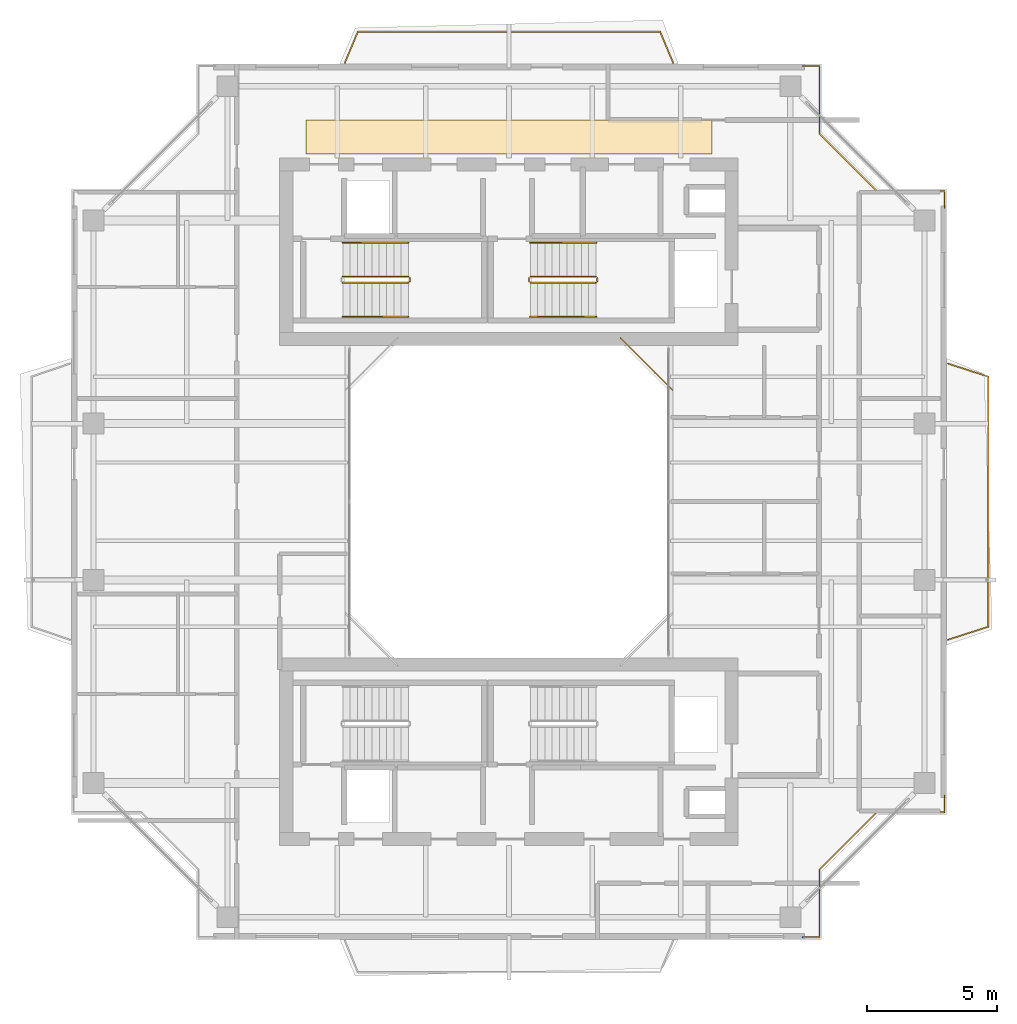
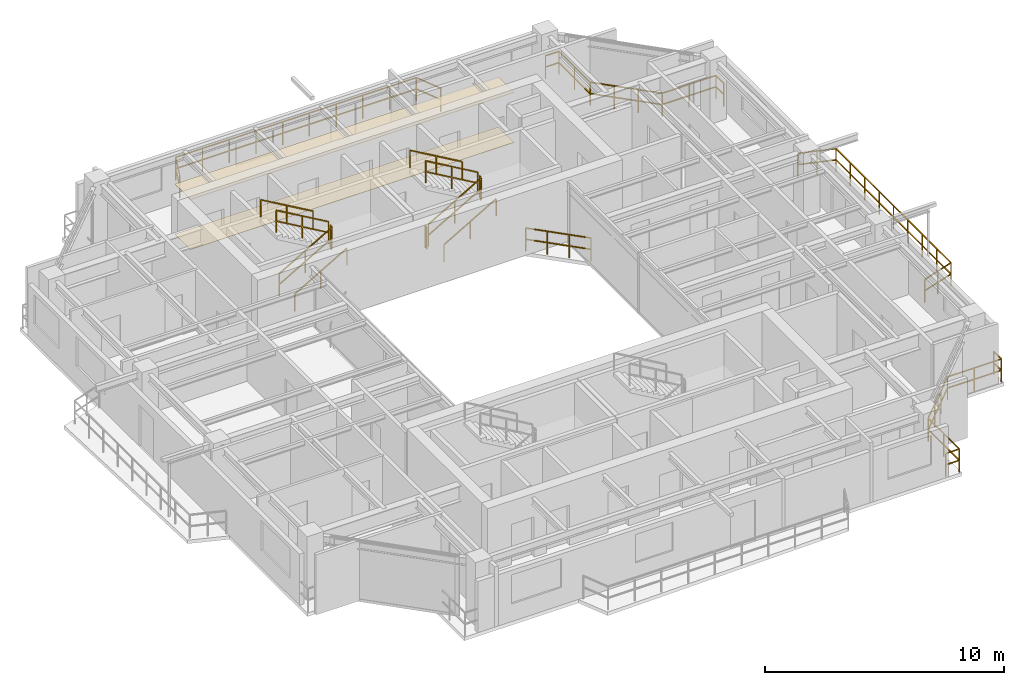
# One storey, part 15 of 15: 16 railings, 2 coverings.
"""IFC4 building model written with IfcOpenShell, lengths in metres."""

from ifc_helpers import new_model, si_unit, direction, frame, origin, origin_2d, place, context, subcontext, project, spatial, polyline, rectangle, outline, extrude, material, layer, layer_set, type_object, element, save


model = new_model("IFC4")

# Units and contexts
model_context = context("Model", 3, precision=1e-05, world=origin(), true_north=direction((0.0, 1.0)))
body_context = subcontext(model_context, "Body", "Model", "MODEL_VIEW")
ifc_project = project(units=[si_unit("LENGTHUNIT", "METRE"), si_unit("AREAUNIT", "SQUARE_METRE"), si_unit("VOLUMEUNIT", "CUBIC_METRE"), si_unit("PLANEANGLEUNIT", "RADIAN"), si_unit("MASSUNIT", "GRAM", prefix="KILO"), si_unit("THERMODYNAMICTEMPERATUREUNIT", "KELVIN"), si_unit("POWERUNIT", "WATT")], contexts=[model_context])

# Site, building, storey
site_placement = place(None, origin())
site = spatial("IfcSite", under=ifc_project, at=site_placement, CompositionType="ELEMENT")
building_placement = place(site_placement, origin())
building = spatial("IfcBuilding", under=site, at=building_placement, Name="Qiaomeng Ring Towers", CompositionType="ELEMENT")
storey_placement = place(building_placement, frame((0.0, 0.0, 206.75)))
storey = spatial("IfcBuildingStorey", under=building, at=storey_placement, Name="L60", CompositionType="ELEMENT", Elevation=206.75)

# Coverings
ifc_material_1 = material(Name="Mineral fibre acoustic ceiling tile", Category="gypsum")
ifc_layer_1 = layer(ifc_material_1, 0.02490234375, Name="Mineral fibre acoustic ceiling tile")
ifc_layer_set_1 = layer_set([ifc_layer_1], Name="Mineral fibre acoustic ceiling tile")
covering_type_1 = type_object("IfcCoveringType", Name="ARC-COV-CEIL1", PredefinedType="CEILING", material=ifc_layer_set_1)
covering_1_placement = place(storey_placement, frame((0.0, 0.0, 2.550048828125)))
element("IfcCovering", 1, at=covering_1_placement, inside=storey, type_object=covering_type_1, Name="L60 Corridor Acoustic Ceiling", PredefinedType="CEILING", context=body_context, shape_type="SweptSolid", body=[
    extrude(outline(polyline([(11.199951171875, 36.35009765625), (11.199951171875, 37.64990234375), (26.800048828125, 37.64990234375), (26.800048828125, 36.35009765625), (11.199951171875, 36.35009765625)])), origin(), (0.0, 0.0, 1.0), 0.02490234375),
])
ifc_material_2 = material(Name="Vitrified porcelain floor tile", Category="ceramic")
ifc_layer_2 = layer(ifc_material_2, 0.02001953125, Name="Vitrified porcelain floor tile")
ifc_layer_set_2 = layer_set([ifc_layer_2], Name="Vitrified porcelain floor tile")
covering_type_2 = type_object("IfcCoveringType", Name="ARC-COV-FLR1", PredefinedType="FLOORING", material=ifc_layer_set_2)
covering_2_placement = place(storey_placement, origin())
element("IfcCovering", 2, at=covering_2_placement, inside=storey, type_object=covering_type_2, Name="L60 Corridor Stone Flooring", PredefinedType="FLOORING", context=body_context, shape_type="SweptSolid", body=[
    extrude(outline(polyline([(11.199951171875, 36.35009765625), (11.199951171875, 37.64990234375), (26.800048828125, 37.64990234375), (26.800048828125, 36.35009765625), (11.199951171875, 36.35009765625)])), origin(), (0.0, 0.0, 1.0), 0.02001953125),
])

# Railings
ifc_material_3 = material(Name="Low-E pale-green laminated safety glass", Category="glass")
railing_type_1 = type_object("IfcRailingType", Name="ARC-RL-BAL1", PredefinedType="BALUSTRADE", material=ifc_material_3)
railing_1_placement = place(storey_placement, frame((25.280029296875, 27.280029296875, 0.0)))
element("IfcRailing", 3, at=railing_1_placement, inside=storey, type_object=railing_type_1, Name="L60 Balustrade ARC-BAL-WELL1-L60-2", PredefinedType="BALUSTRADE", context=body_context, shape_type="SweptSolid", body=[
    extrude(rectangle(XDim=0.048095703125, YDim=0.048095703125, at=origin_2d()), frame((0.0, 0.0, 1.17578125), z_axis=(-0.707106781187, 0.707106781187, 0.0), x_axis=(-0.707106781187, -0.707106781187, 0.0)), (0.0, 0.0, 1.0), 2.828369140625),
    extrude(rectangle(XDim=0.048095703125, YDim=0.048095703125, at=origin_2d()), frame((0.0, 0.0, 0.60009765625), z_axis=(-0.707106781187, 0.707106781187, 0.0), x_axis=(-0.707106781187, -0.707106781187, 0.0)), (0.0, 0.0, 1.0), 2.828369140625),
    extrude(rectangle(XDim=0.0419921875, YDim=0.0419921875, at=origin_2d()), origin(), (0.0, 0.0, 1.0), 1.15185546875),
    extrude(rectangle(XDim=0.0419921875, YDim=0.0419921875, at=origin_2d()), frame((-0.666748046875, 0.666748046875, 0.0)), (0.0, 0.0, 1.0), 1.15185546875),
    extrude(rectangle(XDim=0.0419921875, YDim=0.0419921875, at=origin_2d()), frame((-1.333251953125, 1.333251953125, 0.0)), (0.0, 0.0, 1.0), 1.15185546875),
    extrude(rectangle(XDim=0.0419921875, YDim=0.0419921875, at=origin_2d()), frame((-2.0, 2.0, 0.0)), (0.0, 0.0, 1.0), 1.15185546875),
])
railing_2_placement = place(storey_placement, frame((30.27001953125, 6.280029296875, 0.0)))
element("IfcRailing", 4, at=railing_2_placement, inside=storey, type_object=railing_type_1, Name="L60 Balustrade ARC-BAL-NOTCH1-L60-SE", PredefinedType="BALUSTRADE", context=body_context, shape_type="SweptSolid", body=[
    extrude(rectangle(XDim=0.048095703125, YDim=0.048095703125, at=origin_2d()), frame((0.0, 0.0, 1.17578125), z_axis=(1.0, 0.0, 0.0), x_axis=(0.0, 1.0, 0.0)), (0.0, 0.0, 1.0), 0.64990234375),
    extrude(rectangle(XDim=0.048095703125, YDim=0.048095703125, at=origin_2d()), frame((0.0, 0.0, 0.60009765625), z_axis=(1.0, 0.0, 0.0), x_axis=(0.0, 1.0, 0.0)), (0.0, 0.0, 1.0), 0.64990234375),
    extrude(rectangle(XDim=0.048095703125, YDim=0.048095703125, at=origin_2d()), frame((0.64990234375, 0.0, 1.17578125), z_axis=(0.0, 1.0, 0.0), x_axis=(-1.0, 0.0, 0.0)), (0.0, 0.0, 1.0), 2.599853515625),
    extrude(rectangle(XDim=0.048095703125, YDim=0.048095703125, at=origin_2d()), frame((0.64990234375, 0.0, 0.60009765625), z_axis=(0.0, 1.0, 0.0), x_axis=(-1.0, 0.0, 0.0)), (0.0, 0.0, 1.0), 2.599853515625),
    extrude(rectangle(XDim=0.048095703125, YDim=0.048095703125, at=origin_2d()), frame((0.64990234375, 2.599853515625, 1.17578125), z_axis=(0.707106781187, 0.707106781187, 0.0), x_axis=(-0.707106781187, 0.707106781187, 0.0)), (0.0, 0.0, 1.0), 3.111572265625),
    extrude(rectangle(XDim=0.048095703125, YDim=0.048095703125, at=origin_2d()), frame((0.64990234375, 2.599853515625, 0.60009765625), z_axis=(0.707106781187, 0.707106781187, 0.0), x_axis=(-0.707106781187, 0.707106781187, 0.0)), (0.0, 0.0, 1.0), 3.111572265625),
    extrude(rectangle(XDim=0.048095703125, YDim=0.048095703125, at=origin_2d()), frame((2.85009765625, 4.800048828125, 1.17578125), z_axis=(1.0, 0.0, 0.0), x_axis=(0.0, 1.0, 0.0)), (0.0, 0.0, 1.0), 2.599853515625),
    extrude(rectangle(XDim=0.048095703125, YDim=0.048095703125, at=origin_2d()), frame((2.85009765625, 4.800048828125, 0.60009765625), z_axis=(1.0, 0.0, 0.0), x_axis=(0.0, 1.0, 0.0)), (0.0, 0.0, 1.0), 2.599853515625),
    extrude(rectangle(XDim=0.048095703125, YDim=0.048095703125, at=origin_2d()), frame((5.449951171875, 4.800048828125, 1.17578125), z_axis=(0.0, 1.0, 0.0), x_axis=(-1.0, 0.0, 0.0)), (0.0, 0.0, 1.0), 0.64990234375),
    extrude(rectangle(XDim=0.048095703125, YDim=0.048095703125, at=origin_2d()), frame((5.449951171875, 4.800048828125, 0.60009765625), z_axis=(0.0, 1.0, 0.0), x_axis=(-1.0, 0.0, 0.0)), (0.0, 0.0, 1.0), 0.64990234375),
    extrude(rectangle(XDim=0.0419921875, YDim=0.0419921875, at=origin_2d()), origin(), (0.0, 0.0, 1.0), 1.15185546875),
    extrude(rectangle(XDim=0.0419921875, YDim=0.0419921875, at=origin_2d()), frame((0.64990234375, 0.0, 0.0)), (0.0, 0.0, 1.0), 1.15185546875),
    extrude(rectangle(XDim=0.0419921875, YDim=0.0419921875, at=origin_2d()), frame((0.64990234375, 1.2998046875, 0.0)), (0.0, 0.0, 1.0), 1.15185546875),
    extrude(rectangle(XDim=0.0419921875, YDim=0.0419921875, at=origin_2d()), frame((0.64990234375, 2.599853515625, 0.0)), (0.0, 0.0, 1.0), 1.15185546875),
    extrude(rectangle(XDim=0.0419921875, YDim=0.0419921875, at=origin_2d()), frame((1.38330078125, 3.333251953125, 0.0)), (0.0, 0.0, 1.0), 1.15185546875),
    extrude(rectangle(XDim=0.0419921875, YDim=0.0419921875, at=origin_2d()), frame((2.11669921875, 4.066650390625, 0.0)), (0.0, 0.0, 1.0), 1.15185546875),
    extrude(rectangle(XDim=0.0419921875, YDim=0.0419921875, at=origin_2d()), frame((2.85009765625, 4.800048828125, 0.0)), (0.0, 0.0, 1.0), 1.15185546875),
    extrude(rectangle(XDim=0.0419921875, YDim=0.0419921875, at=origin_2d()), frame((4.14990234375, 4.800048828125, 0.0)), (0.0, 0.0, 1.0), 1.15185546875),
    extrude(rectangle(XDim=0.0419921875, YDim=0.0419921875, at=origin_2d()), frame((5.449951171875, 4.800048828125, 0.0)), (0.0, 0.0, 1.0), 1.15185546875),
    extrude(rectangle(XDim=0.0419921875, YDim=0.0419921875, at=origin_2d()), frame((5.449951171875, 5.449951171875, 0.0)), (0.0, 0.0, 1.0), 1.15185546875),
])
railing_3_placement = place(storey_placement, frame((35.719970703125, 34.27001953125, 0.0)))
element("IfcRailing", 5, at=railing_3_placement, inside=storey, type_object=railing_type_1, Name="L60 Balustrade ARC-BAL-NOTCH1-L60-NE", PredefinedType="BALUSTRADE", context=body_context, shape_type="SweptSolid", body=[
    extrude(rectangle(XDim=0.048095703125, YDim=0.048095703125, at=origin_2d()), frame((0.0, 0.0, 1.17578125), z_axis=(0.0, 1.0, 0.0), x_axis=(-1.0, 0.0, 0.0)), (0.0, 0.0, 1.0), 0.64990234375),
    extrude(rectangle(XDim=0.048095703125, YDim=0.048095703125, at=origin_2d()), frame((0.0, 0.0, 0.60009765625), z_axis=(0.0, 1.0, 0.0), x_axis=(-1.0, 0.0, 0.0)), (0.0, 0.0, 1.0), 0.64990234375),
    extrude(rectangle(XDim=0.048095703125, YDim=0.048095703125, at=origin_2d()), frame((0.0, 0.64990234375, 1.17578125), z_axis=(-1.0, 0.0, 0.0), x_axis=(0.0, -1.0, 0.0)), (0.0, 0.0, 1.0), 2.599853515625),
    extrude(rectangle(XDim=0.048095703125, YDim=0.048095703125, at=origin_2d()), frame((0.0, 0.64990234375, 0.60009765625), z_axis=(-1.0, 0.0, 0.0), x_axis=(0.0, -1.0, 0.0)), (0.0, 0.0, 1.0), 2.599853515625),
    extrude(rectangle(XDim=0.048095703125, YDim=0.048095703125, at=origin_2d()), frame((-2.599853515625, 0.64990234375, 1.17578125), z_axis=(-0.707106781187, 0.707106781187, 0.0), x_axis=(-0.707106781187, -0.707106781187, 0.0)), (0.0, 0.0, 1.0), 3.111572265625),
    extrude(rectangle(XDim=0.048095703125, YDim=0.048095703125, at=origin_2d()), frame((-2.599853515625, 0.64990234375, 0.60009765625), z_axis=(-0.707106781187, 0.707106781187, 0.0), x_axis=(-0.707106781187, -0.707106781187, 0.0)), (0.0, 0.0, 1.0), 3.111572265625),
    extrude(rectangle(XDim=0.048095703125, YDim=0.048095703125, at=origin_2d()), frame((-4.800048828125, 2.85009765625, 1.17578125), z_axis=(0.0, 1.0, 0.0), x_axis=(-1.0, 0.0, 0.0)), (0.0, 0.0, 1.0), 2.599853515625),
    extrude(rectangle(XDim=0.048095703125, YDim=0.048095703125, at=origin_2d()), frame((-4.800048828125, 2.85009765625, 0.60009765625), z_axis=(0.0, 1.0, 0.0), x_axis=(-1.0, 0.0, 0.0)), (0.0, 0.0, 1.0), 2.599853515625),
    extrude(rectangle(XDim=0.048095703125, YDim=0.048095703125, at=origin_2d()), frame((-4.800048828125, 5.449951171875, 1.17578125), z_axis=(-1.0, 0.0, 0.0), x_axis=(0.0, -1.0, 0.0)), (0.0, 0.0, 1.0), 0.64990234375),
    extrude(rectangle(XDim=0.048095703125, YDim=0.048095703125, at=origin_2d()), frame((-4.800048828125, 5.449951171875, 0.60009765625), z_axis=(-1.0, 0.0, 0.0), x_axis=(0.0, -1.0, 0.0)), (0.0, 0.0, 1.0), 0.64990234375),
    extrude(rectangle(XDim=0.0419921875, YDim=0.0419921875, at=origin_2d()), origin(), (0.0, 0.0, 1.0), 1.15185546875),
    extrude(rectangle(XDim=0.0419921875, YDim=0.0419921875, at=origin_2d()), frame((0.0, 0.64990234375, 0.0)), (0.0, 0.0, 1.0), 1.15185546875),
    extrude(rectangle(XDim=0.0419921875, YDim=0.0419921875, at=origin_2d()), frame((-1.2998046875, 0.64990234375, 0.0)), (0.0, 0.0, 1.0), 1.15185546875),
    extrude(rectangle(XDim=0.0419921875, YDim=0.0419921875, at=origin_2d()), frame((-2.599853515625, 0.64990234375, 0.0)), (0.0, 0.0, 1.0), 1.15185546875),
    extrude(rectangle(XDim=0.0419921875, YDim=0.0419921875, at=origin_2d()), frame((-3.333251953125, 1.38330078125, 0.0)), (0.0, 0.0, 1.0), 1.15185546875),
    extrude(rectangle(XDim=0.0419921875, YDim=0.0419921875, at=origin_2d()), frame((-4.066650390625, 2.11669921875, 0.0)), (0.0, 0.0, 1.0), 1.15185546875),
    extrude(rectangle(XDim=0.0419921875, YDim=0.0419921875, at=origin_2d()), frame((-4.800048828125, 2.85009765625, 0.0)), (0.0, 0.0, 1.0), 1.15185546875),
    extrude(rectangle(XDim=0.0419921875, YDim=0.0419921875, at=origin_2d()), frame((-4.800048828125, 4.14990234375, 0.0)), (0.0, 0.0, 1.0), 1.15185546875),
    extrude(rectangle(XDim=0.0419921875, YDim=0.0419921875, at=origin_2d()), frame((-4.800048828125, 5.449951171875, 0.0)), (0.0, 0.0, 1.0), 1.15185546875),
    extrude(rectangle(XDim=0.0419921875, YDim=0.0419921875, at=origin_2d()), frame((-5.449951171875, 5.449951171875, 0.0)), (0.0, 0.0, 1.0), 1.15185546875),
])
railing_4_placement = place(storey_placement, frame((35.85009765625, 17.699951171875, 0.0)))
element("IfcRailing", 6, at=railing_4_placement, inside=storey, type_object=railing_type_1, Name="L60 Balustrade ARC-BAL-L60-T1-E", PredefinedType="BALUSTRADE", context=body_context, shape_type="SweptSolid", body=[
    extrude(rectangle(XDim=0.048095703125, YDim=0.048095703125, at=origin_2d()), frame((0.0, 0.0, 1.17578125), z_axis=(0.951697313001, 0.307037822468, 0.0), x_axis=(-0.307037822468, 0.951697313001, 0.0)), (0.0, 0.0, 1.0), 1.62841796875),
    extrude(rectangle(XDim=0.048095703125, YDim=0.048095703125, at=origin_2d()), frame((0.0, 0.0, 0.60009765625), z_axis=(0.951697313001, 0.307037822468, 0.0), x_axis=(-0.307037822468, 0.951697313001, 0.0)), (0.0, 0.0, 1.0), 1.62841796875),
    extrude(rectangle(XDim=0.048095703125, YDim=0.048095703125, at=origin_2d()), frame((1.5498046875, 0.5, 1.17578125), z_axis=(0.0, 1.0, 0.0), x_axis=(-1.0, 0.0, 0.0)), (0.0, 0.0, 1.0), 9.60009765625),
    extrude(rectangle(XDim=0.048095703125, YDim=0.048095703125, at=origin_2d()), frame((1.5498046875, 0.5, 0.60009765625), z_axis=(0.0, 1.0, 0.0), x_axis=(-1.0, 0.0, 0.0)), (0.0, 0.0, 1.0), 9.60009765625),
    extrude(rectangle(XDim=0.048095703125, YDim=0.048095703125, at=origin_2d()), frame((1.5498046875, 10.10009765625, 1.17578125), z_axis=(-0.951697313001, 0.307037822468, 0.0), x_axis=(-0.307037822468, -0.951697313001, 0.0)), (0.0, 0.0, 1.0), 1.62841796875),
    extrude(rectangle(XDim=0.048095703125, YDim=0.048095703125, at=origin_2d()), frame((1.5498046875, 10.10009765625, 0.60009765625), z_axis=(-0.951697313001, 0.307037822468, 0.0), x_axis=(-0.307037822468, -0.951697313001, 0.0)), (0.0, 0.0, 1.0), 1.62841796875),
    extrude(rectangle(XDim=0.0419921875, YDim=0.0419921875, at=origin_2d()), origin(), (0.0, 0.0, 1.0), 1.15185546875),
    extrude(rectangle(XDim=0.0419921875, YDim=0.0419921875, at=origin_2d()), frame((0.77490234375, 0.25, 0.0)), (0.0, 0.0, 1.0), 1.15185546875),
    extrude(rectangle(XDim=0.0419921875, YDim=0.0419921875, at=origin_2d()), frame((1.5498046875, 0.5, 0.0)), (0.0, 0.0, 1.0), 1.15185546875),
    extrude(rectangle(XDim=0.0419921875, YDim=0.0419921875, at=origin_2d()), frame((1.5498046875, 1.699951171875, 0.0)), (0.0, 0.0, 1.0), 1.15185546875),
    extrude(rectangle(XDim=0.0419921875, YDim=0.0419921875, at=origin_2d()), frame((1.5498046875, 2.89990234375, 0.0)), (0.0, 0.0, 1.0), 1.15185546875),
    extrude(rectangle(XDim=0.0419921875, YDim=0.0419921875, at=origin_2d()), frame((1.5498046875, 4.10009765625, 0.0)), (0.0, 0.0, 1.0), 1.15185546875),
    extrude(rectangle(XDim=0.0419921875, YDim=0.0419921875, at=origin_2d()), frame((1.5498046875, 5.300048828125, 0.0)), (0.0, 0.0, 1.0), 1.15185546875),
    extrude(rectangle(XDim=0.0419921875, YDim=0.0419921875, at=origin_2d()), frame((1.5498046875, 6.5, 0.0)), (0.0, 0.0, 1.0), 1.15185546875),
    extrude(rectangle(XDim=0.0419921875, YDim=0.0419921875, at=origin_2d()), frame((1.5498046875, 7.7001953125, 0.0)), (0.0, 0.0, 1.0), 1.15185546875),
    extrude(rectangle(XDim=0.0419921875, YDim=0.0419921875, at=origin_2d()), frame((1.5498046875, 8.900146484375, 0.0)), (0.0, 0.0, 1.0), 1.15185546875),
    extrude(rectangle(XDim=0.0419921875, YDim=0.0419921875, at=origin_2d()), frame((1.5498046875, 10.10009765625, 0.0)), (0.0, 0.0, 1.0), 1.15185546875),
    extrude(rectangle(XDim=0.0419921875, YDim=0.0419921875, at=origin_2d()), frame((0.77490234375, 10.35009765625, 0.0)), (0.0, 0.0, 1.0), 1.15185546875),
    extrude(rectangle(XDim=0.0419921875, YDim=0.0419921875, at=origin_2d()), frame((0.0, 10.60009765625, 0.0)), (0.0, 0.0, 1.0), 1.15185546875),
])
railing_5_placement = place(storey_placement, frame((12.699951171875, 39.85009765625, 0.0)))
element("IfcRailing", 7, at=railing_5_placement, inside=storey, type_object=railing_type_1, Name="L60 Balustrade ARC-BAL-L60-T1-N", PredefinedType="BALUSTRADE", context=body_context, shape_type="SweptSolid", body=[
    extrude(rectangle(XDim=0.048095703125, YDim=0.048095703125, at=origin_2d()), frame((0.0, 0.0, 1.17578125), z_axis=(0.387380404006, 0.921919965394, 0.0), x_axis=(-0.921919965394, 0.387380404006, 0.0)), (0.0, 0.0, 1.0), 1.290771484375),
    extrude(rectangle(XDim=0.048095703125, YDim=0.048095703125, at=origin_2d()), frame((0.0, 0.0, 0.60009765625), z_axis=(0.387380404006, 0.921919965394, 0.0), x_axis=(-0.921919965394, 0.387380404006, 0.0)), (0.0, 0.0, 1.0), 1.290771484375),
    extrude(rectangle(XDim=0.048095703125, YDim=0.048095703125, at=origin_2d()), frame((0.5, 1.18994140625, 1.17578125), z_axis=(1.0, 0.0, 0.0), x_axis=(0.0, 1.0, 0.0)), (0.0, 0.0, 1.0), 11.60009765625),
    extrude(rectangle(XDim=0.048095703125, YDim=0.048095703125, at=origin_2d()), frame((0.5, 1.18994140625, 0.60009765625), z_axis=(1.0, 0.0, 0.0), x_axis=(0.0, 1.0, 0.0)), (0.0, 0.0, 1.0), 11.60009765625),
    extrude(rectangle(XDim=0.048095703125, YDim=0.048095703125, at=origin_2d()), frame((12.10009765625, 1.18994140625, 1.17578125), z_axis=(0.387380404006, -0.921919965394, 0.0), x_axis=(0.921919965394, 0.387380404006, 0.0)), (0.0, 0.0, 1.0), 1.290771484375),
    extrude(rectangle(XDim=0.048095703125, YDim=0.048095703125, at=origin_2d()), frame((12.10009765625, 1.18994140625, 0.60009765625), z_axis=(0.387380404006, -0.921919965394, 0.0), x_axis=(0.921919965394, 0.387380404006, 0.0)), (0.0, 0.0, 1.0), 1.290771484375),
    extrude(rectangle(XDim=0.0419921875, YDim=0.0419921875, at=origin_2d()), origin(), (0.0, 0.0, 1.0), 1.15185546875),
    extrude(rectangle(XDim=0.0419921875, YDim=0.0419921875, at=origin_2d()), frame((0.5, 1.18994140625, 0.0)), (0.0, 0.0, 1.0), 1.15185546875),
    extrude(rectangle(XDim=0.0419921875, YDim=0.0419921875, at=origin_2d()), frame((1.788818359375, 1.18994140625, 0.0)), (0.0, 0.0, 1.0), 1.15185546875),
    extrude(rectangle(XDim=0.0419921875, YDim=0.0419921875, at=origin_2d()), frame((3.077880859375, 1.18994140625, 0.0)), (0.0, 0.0, 1.0), 1.15185546875),
    extrude(rectangle(XDim=0.0419921875, YDim=0.0419921875, at=origin_2d()), frame((4.36669921875, 1.18994140625, 0.0)), (0.0, 0.0, 1.0), 1.15185546875),
    extrude(rectangle(XDim=0.0419921875, YDim=0.0419921875, at=origin_2d()), frame((5.655517578125, 1.18994140625, 0.0)), (0.0, 0.0, 1.0), 1.15185546875),
    extrude(rectangle(XDim=0.0419921875, YDim=0.0419921875, at=origin_2d()), frame((6.944580078125, 1.18994140625, 0.0)), (0.0, 0.0, 1.0), 1.15185546875),
    extrude(rectangle(XDim=0.0419921875, YDim=0.0419921875, at=origin_2d()), frame((8.2333984375, 1.18994140625, 0.0)), (0.0, 0.0, 1.0), 1.15185546875),
    extrude(rectangle(XDim=0.0419921875, YDim=0.0419921875, at=origin_2d()), frame((9.522216796875, 1.18994140625, 0.0)), (0.0, 0.0, 1.0), 1.15185546875),
    extrude(rectangle(XDim=0.0419921875, YDim=0.0419921875, at=origin_2d()), frame((10.811279296875, 1.18994140625, 0.0)), (0.0, 0.0, 1.0), 1.15185546875),
    extrude(rectangle(XDim=0.0419921875, YDim=0.0419921875, at=origin_2d()), frame((12.10009765625, 1.18994140625, 0.0)), (0.0, 0.0, 1.0), 1.15185546875),
    extrude(rectangle(XDim=0.0419921875, YDim=0.0419921875, at=origin_2d()), frame((12.60009765625, 0.0, 0.0)), (0.0, 0.0, 1.0), 1.15185546875),
])
ifc_material_4 = material(Name="Galvanised steel", Category="steel")
railing_type_2 = type_object("IfcRailingType", Name="ARC-RL-GUARD", PredefinedType="GUARDRAIL", material=ifc_material_4)
railing_6_placement = place(storey_placement, frame((12.6201171875, 31.39990234375, 0.16259765625)))
element("IfcRailing", 8, at=railing_6_placement, inside=storey, type_object=railing_type_2, Name="L60 ST1 stair guard 1", PredefinedType="GUARDRAIL", context=body_context, shape_type="SweptSolid", body=[
    extrude(rectangle(XDim=0.048095703125, YDim=0.048095703125, at=origin_2d()), frame((0.0, 0.0, 1.1259765625), z_axis=(0.864892226395, 0.0, 0.501957604506), x_axis=(0.0, 1.0, 0.0)), (0.0, 0.0, 1.0), 2.913330078125),
    extrude(rectangle(XDim=0.048095703125, YDim=0.048095703125, at=origin_2d()), frame((0.0, 0.0, 0.574951171875), z_axis=(0.864892226395, 0.0, 0.501957604506), x_axis=(0.0, 1.0, 0.0)), (0.0, 0.0, 1.0), 2.913330078125),
    extrude(rectangle(XDim=0.0419921875, YDim=0.0419921875, at=origin_2d()), origin(), (0.0, 0.0, 1.0), 1.101806640625),
    extrude(rectangle(XDim=0.0419921875, YDim=0.0419921875, at=origin_2d()), frame((1.259765625, 0.0, 0.731201171875)), (0.0, 0.0, 1.0), 1.101806640625),
    extrude(rectangle(XDim=0.0419921875, YDim=0.0419921875, at=origin_2d()), frame((2.519775390625, 0.0, 1.46240234375)), (0.0, 0.0, 1.0), 1.101806640625),
])
railing_7_placement = place(storey_placement, frame((15.18994140625, 31.449951171875, 1.625)))
element("IfcRailing", 9, at=railing_7_placement, inside=storey, type_object=railing_type_2, Name="L60 ST1 stair guard 2", PredefinedType="GUARDRAIL", context=body_context, shape_type="SweptSolid", body=[
    extrude(rectangle(XDim=0.048095703125, YDim=0.048095703125, at=origin_2d()), frame((0.0, 0.0, 1.1259765625), z_axis=(0.0, 1.0, 0.0), x_axis=(-1.0, 0.0, 0.0)), (0.0, 0.0, 1.0), 0.14013671875),
    extrude(rectangle(XDim=0.048095703125, YDim=0.048095703125, at=origin_2d()), frame((0.0, 0.0, 0.574951171875), z_axis=(0.0, 1.0, 0.0), x_axis=(-1.0, 0.0, 0.0)), (0.0, 0.0, 1.0), 0.14013671875),
    extrude(rectangle(XDim=0.0419921875, YDim=0.0419921875, at=origin_2d()), origin(), (0.0, 0.0, 1.0), 1.101806640625),
    extrude(rectangle(XDim=0.0419921875, YDim=0.0419921875, at=origin_2d()), frame((0.0, 0.14013671875, 0.0)), (0.0, 0.0, 1.0), 1.101806640625),
])
railing_8_placement = place(storey_placement, frame((15.139892578125, 31.639892578125, 1.78759765625)))
element("IfcRailing", 10, at=railing_8_placement, inside=storey, type_object=railing_type_2, Name="L60 ST1 stair guard 3", PredefinedType="GUARDRAIL", context=body_context, shape_type="SweptSolid", body=[
    extrude(rectangle(XDim=0.048095703125, YDim=0.048095703125, at=origin_2d()), frame((0.0, 0.0, 1.1259765625), z_axis=(-0.864892226395, 0.0, 0.501957604506), x_axis=(0.0, -1.0, 0.0)), (0.0, 0.0, 1.0), 2.913330078125),
    extrude(rectangle(XDim=0.048095703125, YDim=0.048095703125, at=origin_2d()), frame((0.0, 0.0, 0.574951171875), z_axis=(-0.864892226395, 0.0, 0.501957604506), x_axis=(0.0, -1.0, 0.0)), (0.0, 0.0, 1.0), 2.913330078125),
    extrude(rectangle(XDim=0.0419921875, YDim=0.0419921875, at=origin_2d()), origin(), (0.0, 0.0, 1.0), 1.101806640625),
    extrude(rectangle(XDim=0.0419921875, YDim=0.0419921875, at=origin_2d()), frame((-1.259765625, 0.0, 0.731201171875)), (0.0, 0.0, 1.0), 1.101806640625),
    extrude(rectangle(XDim=0.0419921875, YDim=0.0419921875, at=origin_2d()), frame((-2.519775390625, 0.0, 1.46240234375)), (0.0, 0.0, 1.0), 1.101806640625),
])
railing_9_placement = place(storey_placement, frame((19.820068359375, 31.39990234375, 0.16259765625)))
element("IfcRailing", 11, at=railing_9_placement, inside=storey, type_object=railing_type_2, Name="L60 ST2 stair guard 1", PredefinedType="GUARDRAIL", context=body_context, shape_type="SweptSolid", body=[
    extrude(rectangle(XDim=0.048095703125, YDim=0.048095703125, at=origin_2d()), frame((0.0, 0.0, 1.1259765625), z_axis=(0.864913338283, 0.0, 0.50192122615), x_axis=(0.0, 1.0, 0.0)), (0.0, 0.0, 1.0), 2.91357421875),
    extrude(rectangle(XDim=0.048095703125, YDim=0.048095703125, at=origin_2d()), frame((0.0, 0.0, 0.574951171875), z_axis=(0.864913338283, 0.0, 0.50192122615), x_axis=(0.0, 1.0, 0.0)), (0.0, 0.0, 1.0), 2.91357421875),
    extrude(rectangle(XDim=0.0419921875, YDim=0.0419921875, at=origin_2d()), origin(), (0.0, 0.0, 1.0), 1.101806640625),
    extrude(rectangle(XDim=0.0419921875, YDim=0.0419921875, at=origin_2d()), frame((1.260009765625, 0.0, 0.731201171875)), (0.0, 0.0, 1.0), 1.101806640625),
    extrude(rectangle(XDim=0.0419921875, YDim=0.0419921875, at=origin_2d()), frame((2.52001953125, 0.0, 1.46240234375)), (0.0, 0.0, 1.0), 1.101806640625),
])
railing_10_placement = place(storey_placement, frame((22.389892578125, 31.449951171875, 1.625)))
element("IfcRailing", 12, at=railing_10_placement, inside=storey, type_object=railing_type_2, Name="L60 ST2 stair guard 2", PredefinedType="GUARDRAIL", context=body_context, shape_type="SweptSolid", body=[
    extrude(rectangle(XDim=0.048095703125, YDim=0.048095703125, at=origin_2d()), frame((0.0, 0.0, 1.1259765625), z_axis=(0.0, 1.0, 0.0), x_axis=(-1.0, 0.0, 0.0)), (0.0, 0.0, 1.0), 0.14013671875),
    extrude(rectangle(XDim=0.048095703125, YDim=0.048095703125, at=origin_2d()), frame((0.0, 0.0, 0.574951171875), z_axis=(0.0, 1.0, 0.0), x_axis=(-1.0, 0.0, 0.0)), (0.0, 0.0, 1.0), 0.14013671875),
    extrude(rectangle(XDim=0.0419921875, YDim=0.0419921875, at=origin_2d()), origin(), (0.0, 0.0, 1.0), 1.101806640625),
    extrude(rectangle(XDim=0.0419921875, YDim=0.0419921875, at=origin_2d()), frame((0.0, 0.14013671875, 0.0)), (0.0, 0.0, 1.0), 1.101806640625),
])
railing_11_placement = place(storey_placement, frame((22.340087890625, 31.639892578125, 1.78759765625)))
element("IfcRailing", 13, at=railing_11_placement, inside=storey, type_object=railing_type_2, Name="L60 ST2 stair guard 3", PredefinedType="GUARDRAIL", context=body_context, shape_type="SweptSolid", body=[
    extrude(rectangle(XDim=0.048095703125, YDim=0.048095703125, at=origin_2d()), frame((0.0, 0.0, 1.1259765625), z_axis=(-0.864913338283, 0.0, 0.50192122615), x_axis=(0.0, -1.0, 0.0)), (0.0, 0.0, 1.0), 2.91357421875),
    extrude(rectangle(XDim=0.048095703125, YDim=0.048095703125, at=origin_2d()), frame((0.0, 0.0, 0.574951171875), z_axis=(-0.864913338283, 0.0, 0.50192122615), x_axis=(0.0, -1.0, 0.0)), (0.0, 0.0, 1.0), 2.91357421875),
    extrude(rectangle(XDim=0.0419921875, YDim=0.0419921875, at=origin_2d()), origin(), (0.0, 0.0, 1.0), 1.101806640625),
    extrude(rectangle(XDim=0.0419921875, YDim=0.0419921875, at=origin_2d()), frame((-1.260009765625, 0.0, 0.731201171875)), (0.0, 0.0, 1.0), 1.101806640625),
    extrude(rectangle(XDim=0.0419921875, YDim=0.0419921875, at=origin_2d()), frame((-2.52001953125, 0.0, 1.46240234375)), (0.0, 0.0, 1.0), 1.101806640625),
])
railing_12_placement = place(storey_placement, frame((19.77001953125, 31.449951171875, 0.0)))
element("IfcRailing", 14, at=railing_12_placement, inside=storey, type_object=railing_type_2, Name="L60 ST2 stair guard 4", PredefinedType="GUARDRAIL", context=body_context, shape_type="SweptSolid", body=[
    extrude(rectangle(XDim=0.048095703125, YDim=0.048095703125, at=origin_2d()), frame((0.0, 0.0, 1.1259765625), z_axis=(0.0, 1.0, 0.0), x_axis=(-1.0, 0.0, 0.0)), (0.0, 0.0, 1.0), 0.14013671875),
    extrude(rectangle(XDim=0.048095703125, YDim=0.048095703125, at=origin_2d()), frame((0.0, 0.0, 0.574951171875), z_axis=(0.0, 1.0, 0.0), x_axis=(-1.0, 0.0, 0.0)), (0.0, 0.0, 1.0), 0.14013671875),
    extrude(rectangle(XDim=0.0419921875, YDim=0.0419921875, at=origin_2d()), origin(), (0.0, 0.0, 1.0), 1.101806640625),
    extrude(rectangle(XDim=0.0419921875, YDim=0.0419921875, at=origin_2d()), frame((0.0, 0.14013671875, 0.0)), (0.0, 0.0, 1.0), 1.101806640625),
])
ifc_material_5 = material(Name="Stainless steel 316", Category="steel")
railing_type_3 = type_object("IfcRailingType", Name="ARC-RL-HAND", PredefinedType="HANDRAIL", material=ifc_material_5)
railing_13_placement = place(storey_placement, frame((12.6201171875, 30.10009765625, 0.16259765625)))
element("IfcRailing", 15, at=railing_13_placement, inside=storey, type_object=railing_type_3, Name="L60 ST1 stair handrail 1", PredefinedType="HANDRAIL", context=body_context, shape_type="SweptSolid", body=[
    extrude(rectangle(XDim=0.048095703125, YDim=0.048095703125, at=origin_2d()), frame((0.0, 0.0, 0.8759765625), z_axis=(0.864892226395, 0.0, 0.501957604506), x_axis=(0.0, 1.0, 0.0)), (0.0, 0.0, 1.0), 2.913330078125),
    extrude(rectangle(XDim=0.0419921875, YDim=0.0419921875, at=origin_2d()), origin(), (0.0, 0.0, 1.0), 0.851806640625),
    extrude(rectangle(XDim=0.0419921875, YDim=0.0419921875, at=origin_2d()), frame((1.259765625, 0.0, 0.731201171875)), (0.0, 0.0, 1.0), 0.851806640625),
    extrude(rectangle(XDim=0.0419921875, YDim=0.0419921875, at=origin_2d()), frame((2.519775390625, 0.0, 1.46240234375)), (0.0, 0.0, 1.0), 0.851806640625),
])
railing_14_placement = place(storey_placement, frame((15.139892578125, 32.93994140625, 1.78759765625)))
element("IfcRailing", 16, at=railing_14_placement, inside=storey, type_object=railing_type_3, Name="L60 ST1 stair handrail 2", PredefinedType="HANDRAIL", context=body_context, shape_type="SweptSolid", body=[
    extrude(rectangle(XDim=0.048095703125, YDim=0.048095703125, at=origin_2d()), frame((0.0, 0.0, 0.8759765625), z_axis=(-0.864892226395, 0.0, 0.501957604506), x_axis=(0.0, -1.0, 0.0)), (0.0, 0.0, 1.0), 2.913330078125),
    extrude(rectangle(XDim=0.0419921875, YDim=0.0419921875, at=origin_2d()), origin(), (0.0, 0.0, 1.0), 0.851806640625),
    extrude(rectangle(XDim=0.0419921875, YDim=0.0419921875, at=origin_2d()), frame((-1.259765625, 0.0, 0.731201171875)), (0.0, 0.0, 1.0), 0.851806640625),
    extrude(rectangle(XDim=0.0419921875, YDim=0.0419921875, at=origin_2d()), frame((-2.519775390625, 0.0, 1.46240234375)), (0.0, 0.0, 1.0), 0.851806640625),
])
railing_15_placement = place(storey_placement, frame((19.820068359375, 30.10009765625, 0.16259765625)))
element("IfcRailing", 17, at=railing_15_placement, inside=storey, type_object=railing_type_3, Name="L60 ST2 stair handrail 1", PredefinedType="HANDRAIL", context=body_context, shape_type="SweptSolid", body=[
    extrude(rectangle(XDim=0.048095703125, YDim=0.048095703125, at=origin_2d()), frame((0.0, 0.0, 0.8759765625), z_axis=(0.864913338283, 0.0, 0.50192122615), x_axis=(0.0, 1.0, 0.0)), (0.0, 0.0, 1.0), 2.91357421875),
    extrude(rectangle(XDim=0.0419921875, YDim=0.0419921875, at=origin_2d()), origin(), (0.0, 0.0, 1.0), 0.851806640625),
    extrude(rectangle(XDim=0.0419921875, YDim=0.0419921875, at=origin_2d()), frame((1.260009765625, 0.0, 0.731201171875)), (0.0, 0.0, 1.0), 0.851806640625),
    extrude(rectangle(XDim=0.0419921875, YDim=0.0419921875, at=origin_2d()), frame((2.52001953125, 0.0, 1.46240234375)), (0.0, 0.0, 1.0), 0.851806640625),
])
railing_16_placement = place(storey_placement, frame((22.340087890625, 32.93994140625, 1.78759765625)))
element("IfcRailing", 18, at=railing_16_placement, inside=storey, type_object=railing_type_3, Name="L60 ST2 stair handrail 2", PredefinedType="HANDRAIL", context=body_context, shape_type="SweptSolid", body=[
    extrude(rectangle(XDim=0.048095703125, YDim=0.048095703125, at=origin_2d()), frame((0.0, 0.0, 0.8759765625), z_axis=(-0.864913338283, 0.0, 0.50192122615), x_axis=(0.0, -1.0, 0.0)), (0.0, 0.0, 1.0), 2.91357421875),
    extrude(rectangle(XDim=0.0419921875, YDim=0.0419921875, at=origin_2d()), origin(), (0.0, 0.0, 1.0), 0.851806640625),
    extrude(rectangle(XDim=0.0419921875, YDim=0.0419921875, at=origin_2d()), frame((-1.260009765625, 0.0, 0.731201171875)), (0.0, 0.0, 1.0), 0.851806640625),
    extrude(rectangle(XDim=0.0419921875, YDim=0.0419921875, at=origin_2d()), frame((-2.52001953125, 0.0, 1.46240234375)), (0.0, 0.0, 1.0), 0.851806640625),
])

save(model, "model.ifc")
